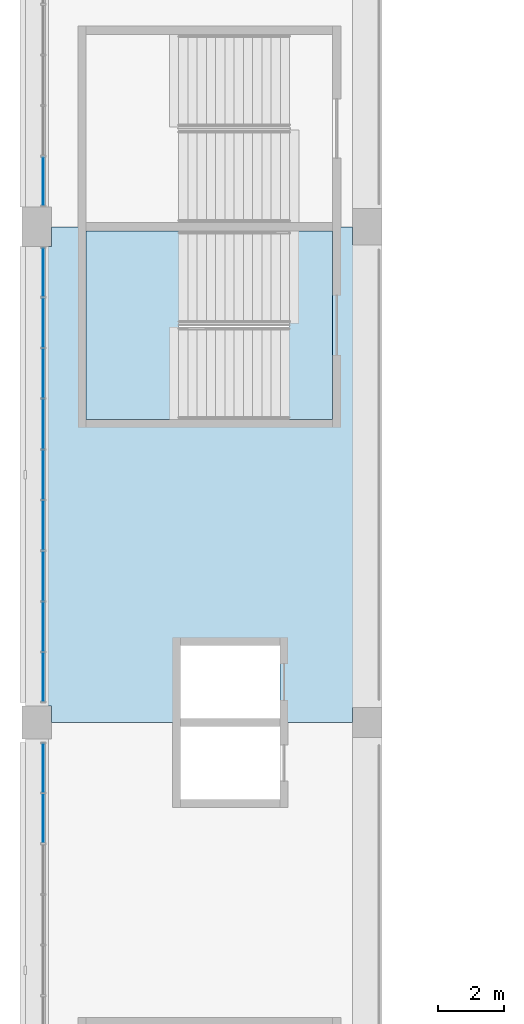
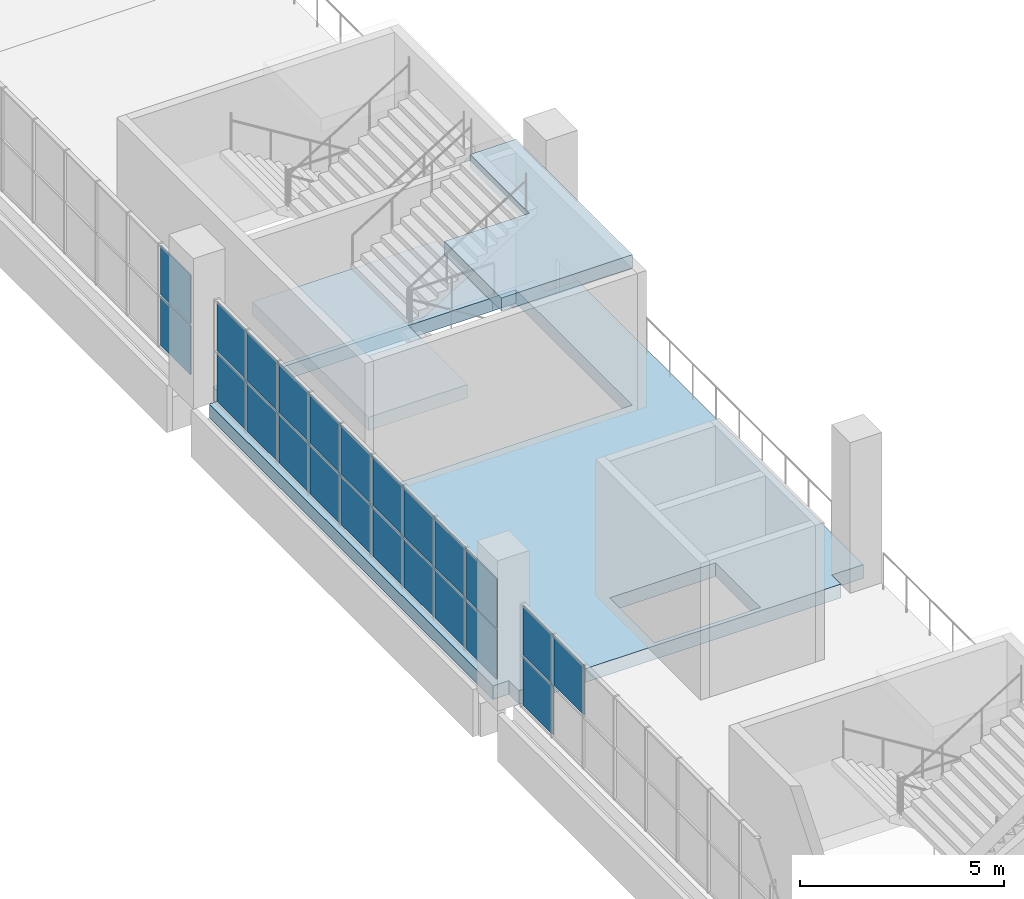
# One storey, part 48 of 177: 23 plates, 3 slabs, 4 elements without a shape of their own.
"""IFC4 building model written with IfcOpenShell, lengths in metres."""

from ifc_helpers import new_model, si_unit, direction, frame, origin, origin_2d, place, context, subcontext, project, spatial, polyline, rectangle, outline, extrude, material, layer, layer_set, type_object, element, aggregate, save


model = new_model("IFC4")

# Units and contexts
model_context = context("Model", 3, precision=1e-05, world=origin(), true_north=direction((0.0, 1.0)))
body_context = subcontext(model_context, "Body", "Model", "MODEL_VIEW")
ifc_project = project(units=[si_unit("LENGTHUNIT", "METRE"), si_unit("AREAUNIT", "SQUARE_METRE"), si_unit("VOLUMEUNIT", "CUBIC_METRE"), si_unit("PLANEANGLEUNIT", "RADIAN"), si_unit("MASSUNIT", "GRAM", prefix="KILO")], contexts=[model_context])

# Site, building, storey
site_placement = place(None, origin())
site = spatial("IfcSite", under=ifc_project, at=site_placement, CompositionType="ELEMENT")
building_placement = place(site_placement, origin())
building = spatial("IfcBuilding", under=site, at=building_placement, Name="Ogive Plaza Stadium", CompositionType="ELEMENT")
storey_placement = place(building_placement, frame((0.0, 0.0, 18.0)))
storey = spatial("IfcBuildingStorey", under=building, at=storey_placement, Name="L04", CompositionType="ELEMENT", Elevation=18.0)

# Curtain wall, plates
ifc_material_1 = material(Name="Bronze-anodised aluminium with laminated glass", Category="aluminium")
curtain_wall_type = type_object("IfcCurtainWallType", Name="Lancet curtain wall", PredefinedType="NOTDEFINED", material=ifc_material_1)
curtain_wall_1_placement = place(storey_placement, origin())
curtain_wall_1 = element("IfcCurtainWall", 1, at=curtain_wall_1_placement, inside=storey, type_object=curtain_wall_type, Name="CURTAIN WALL B24 L04", PredefinedType="NOTDEFINED")
ifc_material_2 = material(Name="Laminated glass", Category="glass")
ifc_layer_1 = layer(ifc_material_2, 0.028076171875)
ifc_layer_set_1 = layer_set([ifc_layer_1], Name="Laminated glass panel 28")
plate_type = type_object("IfcPlateType", Name="Laminated glass panel 28", PredefinedType="CURTAIN_PANEL", material=ifc_layer_set_1)
plate_1_placement = place(storey_placement, frame((-83.800048828125, 4.60009765625, 1.56982421875), z_axis=(0.0, 0.0, 1.0), x_axis=(0.0, 1.0, 0.0)))
plate_1 = element("IfcPlate", 2, at=plate_1_placement, type_object=plate_type, Name="CW-B24-L04 panel 8.2", PredefinedType="CURTAIN_PANEL", context=body_context, shape_type="SweptSolid", body=[
    extrude(rectangle(XDim=1.4833984375, YDim=0.028076171875, at=origin_2d()), origin(), (0.0, 0.0, 1.0), 1.469970703125),
])
plate_2_placement = place(storey_placement, frame((-83.800048828125, 6.120849609375, 0.0498046875), z_axis=(0.0, 0.0, 1.0), x_axis=(0.0, 1.0, 0.0)))
plate_2 = element("IfcPlate", 3, at=plate_2_placement, type_object=plate_type, Name="CW-B24-L04 panel 9.1", PredefinedType="CURTAIN_PANEL", context=body_context, shape_type="SweptSolid", body=[
    extrude(rectangle(XDim=1.458251953125, YDim=0.028076171875, at=origin_2d()), origin(), (0.0, 0.0, 1.0), 1.469970703125),
])
plate_3_placement = place(storey_placement, frame((-83.800048828125, 6.120849609375, 1.56982421875), z_axis=(0.0, 0.0, 1.0), x_axis=(0.0, 1.0, 0.0)))
plate_3 = element("IfcPlate", 4, at=plate_3_placement, type_object=plate_type, Name="CW-B24-L04 panel 9.2", PredefinedType="CURTAIN_PANEL", context=body_context, shape_type="SweptSolid", body=[
    extrude(rectangle(XDim=1.458251953125, YDim=0.028076171875, at=origin_2d()), origin(), (0.0, 0.0, 1.0), 1.469970703125),
])
aggregate(curtain_wall_1, [plate_1, plate_2, plate_3])

curtain_wall_2_placement = place(storey_placement, origin())
curtain_wall_2 = element("IfcCurtainWall", 5, at=curtain_wall_2_placement, inside=storey, type_object=curtain_wall_type, Name="CURTAIN WALL B25 L04", PredefinedType="NOTDEFINED")
plate_4_placement = place(storey_placement, frame((-83.800048828125, 8.879150390625, 0.0498046875), z_axis=(0.0, 0.0, 1.0), x_axis=(0.0, 1.0, 0.0)))
plate_4 = element("IfcPlate", 6, at=plate_4_placement, type_object=plate_type, Name="CW-B25-L04 panel 1.1", PredefinedType="CURTAIN_PANEL", context=body_context, shape_type="SweptSolid", body=[
    extrude(rectangle(XDim=1.458251953125, YDim=0.028076171875, at=origin_2d()), origin(), (0.0, 0.0, 1.0), 1.469970703125),
])
plate_5_placement = place(storey_placement, frame((-83.800048828125, 8.879150390625, 1.56982421875), z_axis=(0.0, 0.0, 1.0), x_axis=(0.0, 1.0, 0.0)))
plate_5 = element("IfcPlate", 7, at=plate_5_placement, type_object=plate_type, Name="CW-B25-L04 panel 1.2", PredefinedType="CURTAIN_PANEL", context=body_context, shape_type="SweptSolid", body=[
    extrude(rectangle(XDim=1.458251953125, YDim=0.028076171875, at=origin_2d()), origin(), (0.0, 0.0, 1.0), 1.469970703125),
])
plate_6_placement = place(storey_placement, frame((-83.800048828125, 10.39990234375, 0.0498046875), z_axis=(0.0, 0.0, 1.0), x_axis=(0.0, 1.0, 0.0)))
plate_6 = element("IfcPlate", 8, at=plate_6_placement, type_object=plate_type, Name="CW-B25-L04 panel 2.1", PredefinedType="CURTAIN_PANEL", context=body_context, shape_type="SweptSolid", body=[
    extrude(rectangle(XDim=1.4833984375, YDim=0.028076171875, at=origin_2d()), origin(), (0.0, 0.0, 1.0), 1.469970703125),
])
plate_7_placement = place(storey_placement, frame((-83.800048828125, 10.39990234375, 1.56982421875), z_axis=(0.0, 0.0, 1.0), x_axis=(0.0, 1.0, 0.0)))
plate_7 = element("IfcPlate", 9, at=plate_7_placement, type_object=plate_type, Name="CW-B25-L04 panel 2.2", PredefinedType="CURTAIN_PANEL", context=body_context, shape_type="SweptSolid", body=[
    extrude(rectangle(XDim=1.4833984375, YDim=0.028076171875, at=origin_2d()), origin(), (0.0, 0.0, 1.0), 1.469970703125),
])
plate_8_placement = place(storey_placement, frame((-83.800048828125, 11.933349609375, 0.0498046875), z_axis=(0.0, 0.0, 1.0), x_axis=(0.0, 1.0, 0.0)))
plate_8 = element("IfcPlate", 10, at=plate_8_placement, type_object=plate_type, Name="CW-B25-L04 panel 3.1", PredefinedType="CURTAIN_PANEL", context=body_context, shape_type="SweptSolid", body=[
    extrude(rectangle(XDim=1.4833984375, YDim=0.028076171875, at=origin_2d()), origin(), (0.0, 0.0, 1.0), 1.469970703125),
])
plate_9_placement = place(storey_placement, frame((-83.800048828125, 11.933349609375, 1.56982421875), z_axis=(0.0, 0.0, 1.0), x_axis=(0.0, 1.0, 0.0)))
plate_9 = element("IfcPlate", 11, at=plate_9_placement, type_object=plate_type, Name="CW-B25-L04 panel 3.2", PredefinedType="CURTAIN_PANEL", context=body_context, shape_type="SweptSolid", body=[
    extrude(rectangle(XDim=1.4833984375, YDim=0.028076171875, at=origin_2d()), origin(), (0.0, 0.0, 1.0), 1.469970703125),
])
plate_10_placement = place(storey_placement, frame((-83.800048828125, 13.466552734375, 0.0498046875), z_axis=(0.0, 0.0, 1.0), x_axis=(0.0, 1.0, 0.0)))
plate_10 = element("IfcPlate", 12, at=plate_10_placement, type_object=plate_type, Name="CW-B25-L04 panel 4.1", PredefinedType="CURTAIN_PANEL", context=body_context, shape_type="SweptSolid", body=[
    extrude(rectangle(XDim=1.4833984375, YDim=0.028076171875, at=origin_2d()), origin(), (0.0, 0.0, 1.0), 1.469970703125),
])
plate_11_placement = place(storey_placement, frame((-83.800048828125, 13.466552734375, 1.56982421875), z_axis=(0.0, 0.0, 1.0), x_axis=(0.0, 1.0, 0.0)))
plate_11 = element("IfcPlate", 13, at=plate_11_placement, type_object=plate_type, Name="CW-B25-L04 panel 4.2", PredefinedType="CURTAIN_PANEL", context=body_context, shape_type="SweptSolid", body=[
    extrude(rectangle(XDim=1.4833984375, YDim=0.028076171875, at=origin_2d()), origin(), (0.0, 0.0, 1.0), 1.469970703125),
])
plate_12_placement = place(storey_placement, frame((-83.800048828125, 15.0, 0.0498046875), z_axis=(0.0, 0.0, 1.0), x_axis=(0.0, 1.0, 0.0)))
plate_12 = element("IfcPlate", 14, at=plate_12_placement, type_object=plate_type, Name="CW-B25-L04 panel 5.1", PredefinedType="CURTAIN_PANEL", context=body_context, shape_type="SweptSolid", body=[
    extrude(rectangle(XDim=1.4833984375, YDim=0.028076171875, at=origin_2d()), origin(), (0.0, 0.0, 1.0), 1.469970703125),
])
plate_13_placement = place(storey_placement, frame((-83.800048828125, 15.0, 1.56982421875), z_axis=(0.0, 0.0, 1.0), x_axis=(0.0, 1.0, 0.0)))
plate_13 = element("IfcPlate", 15, at=plate_13_placement, type_object=plate_type, Name="CW-B25-L04 panel 5.2", PredefinedType="CURTAIN_PANEL", context=body_context, shape_type="SweptSolid", body=[
    extrude(rectangle(XDim=1.4833984375, YDim=0.028076171875, at=origin_2d()), origin(), (0.0, 0.0, 1.0), 1.469970703125),
])
plate_14_placement = place(storey_placement, frame((-83.800048828125, 16.533447265625, 0.0498046875), z_axis=(0.0, 0.0, 1.0), x_axis=(0.0, 1.0, 0.0)))
plate_14 = element("IfcPlate", 16, at=plate_14_placement, type_object=plate_type, Name="CW-B25-L04 panel 6.1", PredefinedType="CURTAIN_PANEL", context=body_context, shape_type="SweptSolid", body=[
    extrude(rectangle(XDim=1.4833984375, YDim=0.028076171875, at=origin_2d()), origin(), (0.0, 0.0, 1.0), 1.469970703125),
])
plate_15_placement = place(storey_placement, frame((-83.800048828125, 16.533447265625, 1.56982421875), z_axis=(0.0, 0.0, 1.0), x_axis=(0.0, 1.0, 0.0)))
plate_15 = element("IfcPlate", 17, at=plate_15_placement, type_object=plate_type, Name="CW-B25-L04 panel 6.2", PredefinedType="CURTAIN_PANEL", context=body_context, shape_type="SweptSolid", body=[
    extrude(rectangle(XDim=1.4833984375, YDim=0.028076171875, at=origin_2d()), origin(), (0.0, 0.0, 1.0), 1.469970703125),
])
plate_16_placement = place(storey_placement, frame((-83.800048828125, 18.066650390625, 0.0498046875), z_axis=(0.0, 0.0, 1.0), x_axis=(0.0, 1.0, 0.0)))
plate_16 = element("IfcPlate", 18, at=plate_16_placement, type_object=plate_type, Name="CW-B25-L04 panel 7.1", PredefinedType="CURTAIN_PANEL", context=body_context, shape_type="SweptSolid", body=[
    extrude(rectangle(XDim=1.4833984375, YDim=0.028076171875, at=origin_2d()), origin(), (0.0, 0.0, 1.0), 1.469970703125),
])
plate_17_placement = place(storey_placement, frame((-83.800048828125, 18.066650390625, 1.56982421875), z_axis=(0.0, 0.0, 1.0), x_axis=(0.0, 1.0, 0.0)))
plate_17 = element("IfcPlate", 19, at=plate_17_placement, type_object=plate_type, Name="CW-B25-L04 panel 7.2", PredefinedType="CURTAIN_PANEL", context=body_context, shape_type="SweptSolid", body=[
    extrude(rectangle(XDim=1.4833984375, YDim=0.028076171875, at=origin_2d()), origin(), (0.0, 0.0, 1.0), 1.469970703125),
])
plate_18_placement = place(storey_placement, frame((-83.800048828125, 19.60009765625, 0.0498046875), z_axis=(0.0, 0.0, 1.0), x_axis=(0.0, 1.0, 0.0)))
plate_18 = element("IfcPlate", 20, at=plate_18_placement, type_object=plate_type, Name="CW-B25-L04 panel 8.1", PredefinedType="CURTAIN_PANEL", context=body_context, shape_type="SweptSolid", body=[
    extrude(rectangle(XDim=1.4833984375, YDim=0.028076171875, at=origin_2d()), origin(), (0.0, 0.0, 1.0), 1.469970703125),
])
plate_19_placement = place(storey_placement, frame((-83.800048828125, 19.60009765625, 1.56982421875), z_axis=(0.0, 0.0, 1.0), x_axis=(0.0, 1.0, 0.0)))
plate_19 = element("IfcPlate", 21, at=plate_19_placement, type_object=plate_type, Name="CW-B25-L04 panel 8.2", PredefinedType="CURTAIN_PANEL", context=body_context, shape_type="SweptSolid", body=[
    extrude(rectangle(XDim=1.4833984375, YDim=0.028076171875, at=origin_2d()), origin(), (0.0, 0.0, 1.0), 1.469970703125),
])
plate_20_placement = place(storey_placement, frame((-83.800048828125, 21.120849609375, 0.0498046875), z_axis=(0.0, 0.0, 1.0), x_axis=(0.0, 1.0, 0.0)))
plate_20 = element("IfcPlate", 22, at=plate_20_placement, type_object=plate_type, Name="CW-B25-L04 panel 9.1", PredefinedType="CURTAIN_PANEL", context=body_context, shape_type="SweptSolid", body=[
    extrude(rectangle(XDim=1.458251953125, YDim=0.028076171875, at=origin_2d()), origin(), (0.0, 0.0, 1.0), 1.469970703125),
])
plate_21_placement = place(storey_placement, frame((-83.800048828125, 21.120849609375, 1.56982421875), z_axis=(0.0, 0.0, 1.0), x_axis=(0.0, 1.0, 0.0)))
plate_21 = element("IfcPlate", 23, at=plate_21_placement, type_object=plate_type, Name="CW-B25-L04 panel 9.2", PredefinedType="CURTAIN_PANEL", context=body_context, shape_type="SweptSolid", body=[
    extrude(rectangle(XDim=1.458251953125, YDim=0.028076171875, at=origin_2d()), origin(), (0.0, 0.0, 1.0), 1.469970703125),
])
aggregate(curtain_wall_2, [plate_4, plate_5, plate_6, plate_7, plate_8, plate_9, plate_10, plate_11, plate_12, plate_13, plate_14, plate_15, plate_16, plate_17, plate_18, plate_19, plate_20, plate_21])

curtain_wall_3_placement = place(storey_placement, origin())
curtain_wall_3 = element("IfcCurtainWall", 24, at=curtain_wall_3_placement, inside=storey, type_object=curtain_wall_type, Name="CURTAIN WALL B26 L04", PredefinedType="NOTDEFINED")
plate_22_placement = place(storey_placement, frame((-83.800048828125, 23.879150390625, 0.0498046875), z_axis=(0.0, 0.0, 1.0), x_axis=(0.0, 1.0, 0.0)))
plate_22 = element("IfcPlate", 25, at=plate_22_placement, type_object=plate_type, Name="CW-B26-L04 panel 1.1", PredefinedType="CURTAIN_PANEL", context=body_context, shape_type="SweptSolid", body=[
    extrude(rectangle(XDim=1.458251953125, YDim=0.028076171875, at=origin_2d()), origin(), (0.0, 0.0, 1.0), 1.469970703125),
])
plate_23_placement = place(storey_placement, frame((-83.800048828125, 23.879150390625, 1.56982421875), z_axis=(0.0, 0.0, 1.0), x_axis=(0.0, 1.0, 0.0)))
plate_23 = element("IfcPlate", 26, at=plate_23_placement, type_object=plate_type, Name="CW-B26-L04 panel 1.2", PredefinedType="CURTAIN_PANEL", context=body_context, shape_type="SweptSolid", body=[
    extrude(rectangle(XDim=1.458251953125, YDim=0.028076171875, at=origin_2d()), origin(), (0.0, 0.0, 1.0), 1.469970703125),
])
aggregate(curtain_wall_3, [plate_22, plate_23])

# Slab
ifc_material_3 = material(Name="Concrete C40/50", Category="concrete")
ifc_layer_2 = layer(ifc_material_3, 0.409912109375)
ifc_layer_set_2 = layer_set([ifc_layer_2], Name="Concrete C40/50")
slab_type_1 = type_object("IfcSlabType", Name="RC floor slab 410", PredefinedType="FLOOR", material=ifc_layer_set_2)
slab_1_placement = place(storey_placement, frame((0.0, 0.0, -0.409912109375)))
element("IfcSlab", 27, at=slab_1_placement, inside=storey, type_object=slab_type_1, Name="Floor slab L04 B25", PredefinedType="FLOOR", context=body_context, shape_type="SweptSolid", body=[
    extrude(outline(polyline([(-83.550048828125, 22.5), (-83.550048828125, 21.89990234375), (-84.0, 21.89990234375), (-84.0, 8.0), (-83.550048828125, 8.0), (-83.550048828125, 7.5), (-74.449951171875, 7.5), (-74.449951171875, 7.949951171875), (-73.550048828125, 7.949951171875), (-73.550048828125, 21.949951171875), (-74.449951171875, 21.949951171875), (-74.449951171875, 22.5), (-83.550048828125, 22.5)]), holes=[polyline([(-76.64990234375, 7.625), (-76.64990234375, 9.824951171875), (-79.64990234375, 9.824951171875), (-79.64990234375, 7.625), (-76.64990234375, 7.625)]), polyline([(-75.050048828125, 16.675048828125), (-75.050048828125, 22.375), (-82.510009765625, 22.375), (-82.510009765625, 16.675048828125), (-75.050048828125, 16.675048828125)])]), origin(), (0.0, 0.0, 1.0), 0.409912109375),
])

# Stair, slabs
ifc_material_4 = material(Name="Concrete C40/50", Category="concrete")
stair_type = type_object("IfcStairType", Name="Exit stair", PredefinedType="STRAIGHT_RUN_STAIR", material=ifc_material_4)
stair_placement = place(storey_placement, origin())
stair = element("IfcStair", 28, at=stair_placement, inside=storey, type_object=stair_type, Name="Exit stair ST26B L04 to L05", PredefinedType="STRAIGHT_RUN_STAIR")
ifc_material_5 = material(Name="Concrete C40/50", Category="concrete")
ifc_layer_3 = layer(ifc_material_5, 0.39990234375)
ifc_layer_set_3 = layer_set([ifc_layer_3], Name="Concrete C40/50")
slab_type_2 = type_object("IfcSlabType", Name="Stair landing", PredefinedType="LANDING", material=ifc_layer_set_3)
slab_2_placement = place(storey_placement, frame((0.0, 0.0, 1.85009765625)))
slab_2 = element("IfcSlab", 29, at=slab_2_placement, type_object=slab_type_2, Name="ST26B landing 1", PredefinedType="LANDING", context=body_context, shape_type="SweptSolid", body=[
    extrude(outline(polyline([(-77.31005859375, 22.375), (-77.31005859375, 19.574951171875), (-79.7099609375, 19.574951171875), (-79.7099609375, 16.675048828125), (-82.510009765625, 16.675048828125), (-82.510009765625, 22.375), (-79.7099609375, 22.375), (-77.31005859375, 22.375)])), origin(), (0.0, 0.0, 1.0), 0.39990234375),
])
slab_3_placement = place(storey_placement, frame((0.0, 0.0, 4.10009765625)))
slab_3 = element("IfcSlab", 30, at=slab_3_placement, type_object=slab_type_2, Name="ST26B landing 2", PredefinedType="LANDING", context=body_context, shape_type="SweptSolid", body=[
    extrude(outline(polyline([(-76.35009765625, 22.375), (-75.050048828125, 22.375), (-75.050048828125, 16.675048828125), (-76.35009765625, 16.675048828125), (-78.75, 16.675048828125), (-78.75, 19.47509765625), (-76.35009765625, 19.47509765625), (-76.35009765625, 22.375)])), origin(), (0.0, 0.0, 1.0), 0.39990234375),
])
aggregate(stair, [slab_2, slab_3])

save(model, "model.ifc")
